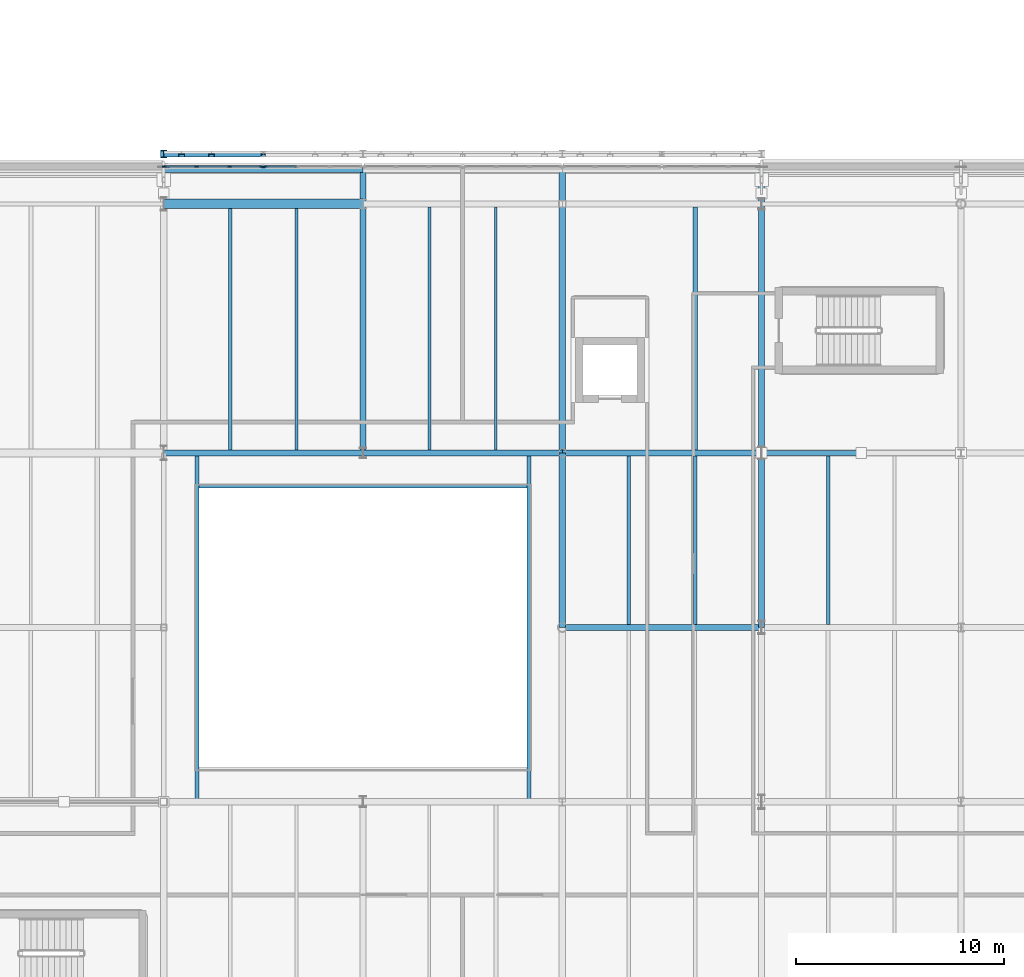
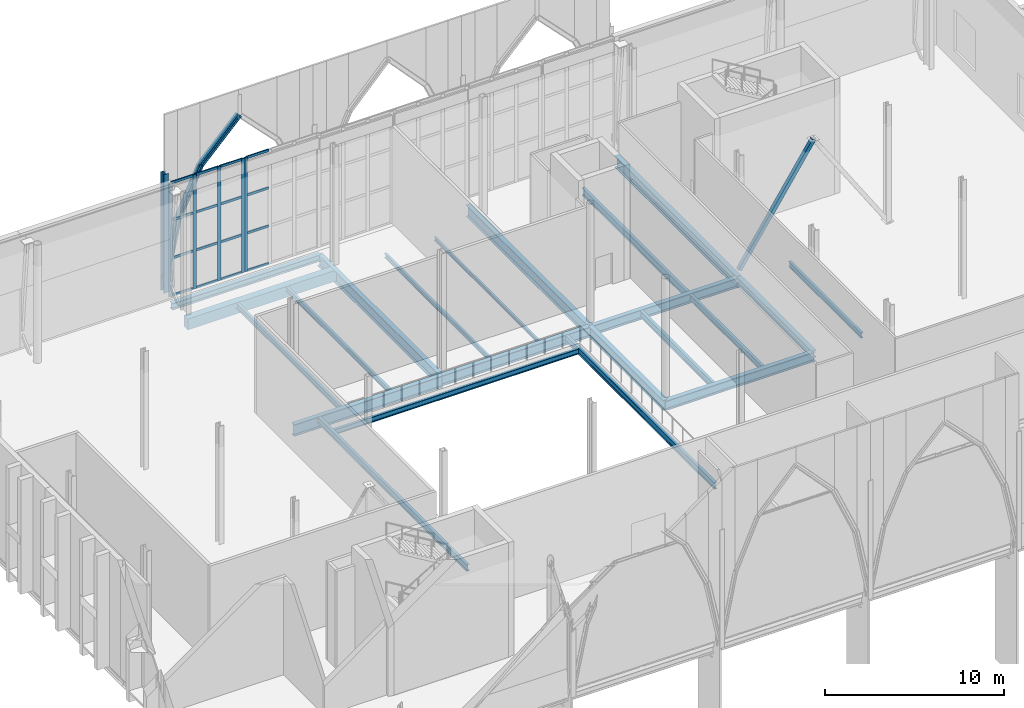
# One storey, part 28 of 79: 26 members, 22 beams, 2 elements without a shape of their own.
"""IFC4 building model written with IfcOpenShell, lengths in metres."""

from ifc_helpers import new_model, si_unit, direction, frame, origin, origin_2d, place, context, subcontext, project, spatial, rectangle, hollow_rectangle, i_section, extrude, material, layer, layer_set, material_profile, profile_set, type_object, element, aggregate, save


model = new_model("IFC4")

# Units and contexts
model_context = context("Model", 3, precision=1e-05, world=origin(), true_north=direction((0.0, 1.0)))
body_context = subcontext(model_context, "Body", "Model", "MODEL_VIEW")
ifc_project = project(units=[si_unit("LENGTHUNIT", "METRE"), si_unit("AREAUNIT", "SQUARE_METRE"), si_unit("VOLUMEUNIT", "CUBIC_METRE"), si_unit("PLANEANGLEUNIT", "RADIAN"), si_unit("MASSUNIT", "GRAM", prefix="KILO")], contexts=[model_context])

# Site, building, storey
site_placement = place(None, origin())
site = spatial("IfcSite", under=ifc_project, at=site_placement, CompositionType="ELEMENT")
building_placement = place(site_placement, origin())
building = spatial("IfcBuilding", under=site, at=building_placement, Name="Zereglee Splitstone Museum", CompositionType="ELEMENT")
storey_placement = place(building_placement, frame((0.0, 0.0, 9.0)))
storey = spatial("IfcBuildingStorey", under=building, at=storey_placement, Name="L02", CompositionType="ELEMENT", Elevation=9.0)

# Member
ifc_material_1 = material(Name="Steel S355J2H", Category="steel")
ifc_material_profile_1 = material_profile(ifc_material_1, hollow_rectangle(XDim=0.25, YDim=0.25, WallThickness=0.012451171875, at=origin_2d()), Name="SHS 250x250x12.5")
ifc_profile_set_1 = profile_set([ifc_material_profile_1], Name="Steel S355J2H")
member_type_1 = type_object("IfcMemberType", Name="TB-06", PredefinedType="BRACE", material=ifc_profile_set_1)
member_1_placement = place(storey_placement, frame((126.0, 38.39990234375, 0.1201171875), z_axis=(0.551530619986, 0.0, 0.834154647063), x_axis=(0.0, 1.0, 0.0)))
element("IfcMember", 1, at=member_1_placement, inside=storey, type_object=member_type_1, Name="Lateral Braced Frame Chevron L02-012A", PredefinedType="BRACE", context=body_context, shape_type="SweptSolid", body=[
    extrude(hollow_rectangle(XDim=0.25, YDim=0.25, WallThickness=0.012451171875, at=origin_2d()), origin(), (0.0, 0.0, 1.0), 8.703125),
])

# Curtain wall, member
ifc_material_2 = material(Name="Triple-glazed low-E argon glass and bronze-anodised aluminium", Category="aluminium")
ifc_layer_1 = layer(ifc_material_2, 0.219970703125)
ifc_layer_set_1 = layer_set([ifc_layer_1], Name="Triple-glazed low-E argon glass and bronze-anodised aluminium")
curtain_wall_type_1 = type_object("IfcCurtainWallType", Name="CW-0476-780", PredefinedType="USERDEFINED", material=ifc_layer_set_1)
curtain_wall_1_placement = place(storey_placement, origin())
curtain_wall_1 = element("IfcCurtainWall", 2, at=curtain_wall_1_placement, inside=storey, type_object=curtain_wall_type_1, Name="Glazed Curtain Wall CW-0476-780 (L02)", ObjectType="GLAZED CURTAIN WALL", PredefinedType="USERDEFINED")
ifc_material_3 = material(Name="Thermally broken bronze-anodised aluminium", Category="aluminium")
ifc_material_profile_2 = material_profile(ifc_material_3, rectangle(XDim=0.074951171875, YDim=0.219970703125, at=origin_2d()), Name="CW MULL 75x220")
ifc_profile_set_2 = profile_set([ifc_material_profile_2], Name="Thermally broken bronze-anodised aluminium")
member_type_2 = type_object("IfcMemberType", Name="CWM-02", PredefinedType="MULLION", material=ifc_profile_set_2)
member_2_placement = place(storey_placement, frame((102.077392578125, 52.199951171875, 0.0), z_axis=(0.0, 0.0, 1.0), x_axis=(0.0, -1.0, 0.0)))
member_2 = element("IfcMember", 3, at=member_2_placement, type_object=member_type_2, Name="CW-0476-780 mullion 4", PredefinedType="MULLION", context=body_context, shape_type="SweptSolid", body=[
    extrude(rectangle(XDim=0.074951171875, YDim=0.219970703125, at=origin_2d()), origin(), (0.0, 0.0, 1.0), 7.800048828125),
])

# Curtain wall, members
ifc_layer_2 = layer(ifc_material_2, 0.219970703125)
ifc_layer_set_2 = layer_set([ifc_layer_2], Name="Triple-glazed low-E argon glass and bronze-anodised aluminium")
curtain_wall_type_2 = type_object("IfcCurtainWallType", Name="CW-0476-778", PredefinedType="USERDEFINED", material=ifc_layer_set_2)
curtain_wall_2_placement = place(storey_placement, origin())
curtain_wall_2 = element("IfcCurtainWall", 4, at=curtain_wall_2_placement, inside=storey, type_object=curtain_wall_type_2, Name="Glazed Curtain Wall CW-0476-778 (L02)", ObjectType="GLAZED CURTAIN WALL", PredefinedType="USERDEFINED")
member_3_placement = place(storey_placement, frame((101.922607421875, 52.199951171875, 0.0), z_axis=(0.0, 0.0, 1.0), x_axis=(0.0, -1.0, 0.0)))
member_3 = element("IfcMember", 5, at=member_3_placement, type_object=member_type_2, Name="CW-0476-778 mullion 1", PredefinedType="MULLION", context=body_context, shape_type="SweptSolid", body=[
    extrude(rectangle(XDim=0.074951171875, YDim=0.219970703125, at=origin_2d()), origin(), (0.0, 0.0, 1.0), 7.780029296875),
])
member_4_placement = place(storey_placement, frame((100.373291015625, 52.199951171875, 0.0), z_axis=(0.0, 0.0, 1.0), x_axis=(0.0, -1.0, 0.0)))
member_4 = element("IfcMember", 6, at=member_4_placement, type_object=member_type_2, Name="CW-0476-778 mullion 2", PredefinedType="MULLION", context=body_context, shape_type="SweptSolid", body=[
    extrude(rectangle(XDim=0.074951171875, YDim=0.219970703125, at=origin_2d()), origin(), (0.0, 0.0, 1.0), 7.780029296875),
])
member_5_placement = place(storey_placement, frame((98.78662109375, 52.199951171875, 0.0), z_axis=(0.0, 0.0, 1.0), x_axis=(0.0, -1.0, 0.0)))
member_5 = element("IfcMember", 7, at=member_5_placement, type_object=member_type_2, Name="CW-0476-778 mullion 3", PredefinedType="MULLION", context=body_context, shape_type="SweptSolid", body=[
    extrude(rectangle(XDim=0.074951171875, YDim=0.219970703125, at=origin_2d()), origin(), (0.0, 0.0, 1.0), 7.780029296875),
])
member_6_placement = place(storey_placement, frame((97.237548828125, 52.199951171875, 0.0), z_axis=(0.0, 0.0, 1.0), x_axis=(0.0, -1.0, 0.0)))
member_6 = element("IfcMember", 8, at=member_6_placement, type_object=member_type_2, Name="CW-0476-778 mullion 4", PredefinedType="MULLION", context=body_context, shape_type="SweptSolid", body=[
    extrude(rectangle(XDim=0.074951171875, YDim=0.219970703125, at=origin_2d()), origin(), (0.0, 0.0, 1.0), 7.780029296875),
])

# Member
ifc_material_profile_3 = material_profile(ifc_material_3, rectangle(XDim=0.074951171875, YDim=0.1650390625, at=origin_2d()), Name="CW TRAN 75x165")
ifc_profile_set_3 = profile_set([ifc_material_profile_3], Name="Thermally broken bronze-anodised aluminium")
member_type_3 = type_object("IfcMemberType", Name="CWT-02", PredefinedType="USERDEFINED", material=ifc_profile_set_3)
member_7_placement = place(storey_placement, frame((103.589111328125, 52.199951171875, 0.03759765625), z_axis=(-1.0, 0.0, 0.0), x_axis=(0.0, -1.0, 0.0)))
member_7 = element("IfcMember", 9, at=member_7_placement, type_object=member_type_3, Name="CW-0476-780 transom 3.1", ObjectType="TRANSOM", PredefinedType="USERDEFINED", context=body_context, shape_type="SweptSolid", body=[
    extrude(rectangle(XDim=0.074951171875, YDim=0.1650390625, at=origin_2d()), origin(), (0.0, 0.0, 1.0), 1.47412109375),
])

member_8_placement = place(storey_placement, frame((103.589111328125, 52.199951171875, 2.60009765625), z_axis=(-1.0, 0.0, 0.0), x_axis=(0.0, -1.0, 0.0)))
member_8 = element("IfcMember", 10, at=member_8_placement, type_object=member_type_3, Name="CW-0476-780 transom 3.2", ObjectType="TRANSOM", PredefinedType="USERDEFINED", context=body_context, shape_type="SweptSolid", body=[
    extrude(rectangle(XDim=0.074951171875, YDim=0.1650390625, at=origin_2d()), origin(), (0.0, 0.0, 1.0), 1.47412109375),
])

member_9_placement = place(storey_placement, frame((103.589111328125, 52.199951171875, 5.199951171875), z_axis=(-1.0, 0.0, 0.0), x_axis=(0.0, -1.0, 0.0)))
member_9 = element("IfcMember", 11, at=member_9_placement, type_object=member_type_3, Name="CW-0476-780 transom 3.3", ObjectType="TRANSOM", PredefinedType="USERDEFINED", context=body_context, shape_type="SweptSolid", body=[
    extrude(rectangle(XDim=0.074951171875, YDim=0.1650390625, at=origin_2d()), origin(), (0.0, 0.0, 1.0), 1.47412109375),
])

member_10_placement = place(storey_placement, frame((103.589111328125, 52.199951171875, 7.762451171875), z_axis=(-1.0, 0.0, 0.0), x_axis=(0.0, -1.0, 0.0)))
member_10 = element("IfcMember", 12, at=member_10_placement, type_object=member_type_3, Name="CW-0476-780 transom 3.4", ObjectType="TRANSOM", PredefinedType="USERDEFINED", context=body_context, shape_type="SweptSolid", body=[
    extrude(rectangle(XDim=0.074951171875, YDim=0.1650390625, at=origin_2d()), origin(), (0.0, 0.0, 1.0), 1.47412109375),
])

aggregate(curtain_wall_1, [member_2, member_7, member_8, member_9, member_10])

member_11_placement = place(storey_placement, frame((101.885009765625, 52.199951171875, 0.03759765625), z_axis=(-1.0, 0.0, 0.0), x_axis=(0.0, -1.0, 0.0)))
member_11 = element("IfcMember", 13, at=member_11_placement, type_object=member_type_3, Name="CW-0476-778 transom 1.1", ObjectType="TRANSOM", PredefinedType="USERDEFINED", context=body_context, shape_type="SweptSolid", body=[
    extrude(rectangle(XDim=0.074951171875, YDim=0.1650390625, at=origin_2d()), origin(), (0.0, 0.0, 1.0), 1.47412109375),
])

member_12_placement = place(storey_placement, frame((101.885009765625, 52.199951171875, 2.59326171875), z_axis=(-1.0, 0.0, 0.0), x_axis=(0.0, -1.0, 0.0)))
member_12 = element("IfcMember", 14, at=member_12_placement, type_object=member_type_3, Name="CW-0476-778 transom 1.2", ObjectType="TRANSOM", PredefinedType="USERDEFINED", context=body_context, shape_type="SweptSolid", body=[
    extrude(rectangle(XDim=0.074951171875, YDim=0.1650390625, at=origin_2d()), origin(), (0.0, 0.0, 1.0), 1.47412109375),
])

member_13_placement = place(storey_placement, frame((101.885009765625, 52.199951171875, 5.186767578125), z_axis=(-1.0, 0.0, 0.0), x_axis=(0.0, -1.0, 0.0)))
member_13 = element("IfcMember", 15, at=member_13_placement, type_object=member_type_3, Name="CW-0476-778 transom 1.3", ObjectType="TRANSOM", PredefinedType="USERDEFINED", context=body_context, shape_type="SweptSolid", body=[
    extrude(rectangle(XDim=0.074951171875, YDim=0.1650390625, at=origin_2d()), origin(), (0.0, 0.0, 1.0), 1.47412109375),
])

member_14_placement = place(storey_placement, frame((101.885009765625, 52.199951171875, 7.742431640625), z_axis=(-1.0, 0.0, 0.0), x_axis=(0.0, -1.0, 0.0)))
member_14 = element("IfcMember", 16, at=member_14_placement, type_object=member_type_3, Name="CW-0476-778 transom 1.4", ObjectType="TRANSOM", PredefinedType="USERDEFINED", context=body_context, shape_type="SweptSolid", body=[
    extrude(rectangle(XDim=0.074951171875, YDim=0.1650390625, at=origin_2d()), origin(), (0.0, 0.0, 1.0), 1.47412109375),
])

member_15_placement = place(storey_placement, frame((100.3359375, 52.199951171875, 0.03759765625), z_axis=(-1.0, 0.0, 0.0), x_axis=(0.0, -1.0, 0.0)))
member_15 = element("IfcMember", 17, at=member_15_placement, type_object=member_type_3, Name="CW-0476-778 transom 2.1", ObjectType="TRANSOM", PredefinedType="USERDEFINED", context=body_context, shape_type="SweptSolid", body=[
    extrude(rectangle(XDim=0.074951171875, YDim=0.1650390625, at=origin_2d()), origin(), (0.0, 0.0, 1.0), 1.51171875),
])

member_16_placement = place(storey_placement, frame((100.3359375, 52.199951171875, 2.59326171875), z_axis=(-1.0, 0.0, 0.0), x_axis=(0.0, -1.0, 0.0)))
member_16 = element("IfcMember", 18, at=member_16_placement, type_object=member_type_3, Name="CW-0476-778 transom 2.2", ObjectType="TRANSOM", PredefinedType="USERDEFINED", context=body_context, shape_type="SweptSolid", body=[
    extrude(rectangle(XDim=0.074951171875, YDim=0.1650390625, at=origin_2d()), origin(), (0.0, 0.0, 1.0), 1.51171875),
])

member_17_placement = place(storey_placement, frame((100.3359375, 52.199951171875, 5.186767578125), z_axis=(-1.0, 0.0, 0.0), x_axis=(0.0, -1.0, 0.0)))
member_17 = element("IfcMember", 19, at=member_17_placement, type_object=member_type_3, Name="CW-0476-778 transom 2.3", ObjectType="TRANSOM", PredefinedType="USERDEFINED", context=body_context, shape_type="SweptSolid", body=[
    extrude(rectangle(XDim=0.074951171875, YDim=0.1650390625, at=origin_2d()), origin(), (0.0, 0.0, 1.0), 1.51171875),
])

member_18_placement = place(storey_placement, frame((100.3359375, 52.199951171875, 7.742431640625), z_axis=(-1.0, 0.0, 0.0), x_axis=(0.0, -1.0, 0.0)))
member_18 = element("IfcMember", 20, at=member_18_placement, type_object=member_type_3, Name="CW-0476-778 transom 2.4", ObjectType="TRANSOM", PredefinedType="USERDEFINED", context=body_context, shape_type="SweptSolid", body=[
    extrude(rectangle(XDim=0.074951171875, YDim=0.1650390625, at=origin_2d()), origin(), (0.0, 0.0, 1.0), 1.51171875),
])

member_19_placement = place(storey_placement, frame((98.749267578125, 52.199951171875, 0.03759765625), z_axis=(-1.0, 0.0, 0.0), x_axis=(0.0, -1.0, 0.0)))
member_19 = element("IfcMember", 21, at=member_19_placement, type_object=member_type_3, Name="CW-0476-778 transom 3.1", ObjectType="TRANSOM", PredefinedType="USERDEFINED", context=body_context, shape_type="SweptSolid", body=[
    extrude(rectangle(XDim=0.074951171875, YDim=0.1650390625, at=origin_2d()), origin(), (0.0, 0.0, 1.0), 1.474365234375),
])

member_20_placement = place(storey_placement, frame((98.749267578125, 52.199951171875, 2.59326171875), z_axis=(-1.0, 0.0, 0.0), x_axis=(0.0, -1.0, 0.0)))
member_20 = element("IfcMember", 22, at=member_20_placement, type_object=member_type_3, Name="CW-0476-778 transom 3.2", ObjectType="TRANSOM", PredefinedType="USERDEFINED", context=body_context, shape_type="SweptSolid", body=[
    extrude(rectangle(XDim=0.074951171875, YDim=0.1650390625, at=origin_2d()), origin(), (0.0, 0.0, 1.0), 1.474365234375),
])

member_21_placement = place(storey_placement, frame((98.749267578125, 52.199951171875, 5.186767578125), z_axis=(-1.0, 0.0, 0.0), x_axis=(0.0, -1.0, 0.0)))
member_21 = element("IfcMember", 23, at=member_21_placement, type_object=member_type_3, Name="CW-0476-778 transom 3.3", ObjectType="TRANSOM", PredefinedType="USERDEFINED", context=body_context, shape_type="SweptSolid", body=[
    extrude(rectangle(XDim=0.074951171875, YDim=0.1650390625, at=origin_2d()), origin(), (0.0, 0.0, 1.0), 1.474365234375),
])

member_22_placement = place(storey_placement, frame((98.749267578125, 52.199951171875, 7.742431640625), z_axis=(-1.0, 0.0, 0.0), x_axis=(0.0, -1.0, 0.0)))
member_22 = element("IfcMember", 24, at=member_22_placement, type_object=member_type_3, Name="CW-0476-778 transom 3.4", ObjectType="TRANSOM", PredefinedType="USERDEFINED", context=body_context, shape_type="SweptSolid", body=[
    extrude(rectangle(XDim=0.074951171875, YDim=0.1650390625, at=origin_2d()), origin(), (0.0, 0.0, 1.0), 1.474365234375),
])

aggregate(curtain_wall_2, [member_3, member_4, member_5, member_6, member_11, member_12, member_13, member_14, member_15, member_16, member_17, member_18, member_19, member_20, member_21, member_22])

# Members
ifc_material_4 = material(Name="Steel S355J2", Category="steel")
ifc_material_profile_4 = material_profile(ifc_material_4, i_section(OverallWidth=0.300048828125, OverallDepth=0.300048828125, WebThickness=0.010986328125, FlangeThickness=0.01904296875, FilletRadius=0.027099609375, at=origin_2d()), Name="HE 300 B")
ifc_profile_set_4 = profile_set([ifc_material_profile_4], Name="Steel S355J2")
member_type_4 = type_object("IfcMemberType", Name="TC-08", PredefinedType="CHORD", material=ifc_profile_set_4)
member_23_placement = place(storey_placement, frame((97.199951171875, 52.800048828125, 0.5), z_axis=(0.203451466719, 0.0, 0.97908503241), x_axis=(0.0, 1.0, 0.0)))
element("IfcMember", 25, at=member_23_placement, inside=storey, type_object=member_type_4, Name="Mughal Four-Centred Pointed Arch Rib PSQ-ATRN-1-1", PredefinedType="CHORD", context=body_context, shape_type="SweptSolid", body=[
    extrude(i_section(OverallWidth=0.300048828125, OverallDepth=0.300048828125, WebThickness=0.010986328125, FlangeThickness=0.01904296875, FilletRadius=0.027099609375, at=origin_2d()), origin(), (0.0, 0.0, 1.0), 4.246826171875),
])
member_24_placement = place(storey_placement, frame((98.06396484375, 52.800048828125, 4.657958984375), z_axis=(0.413792372507, 0.0, 0.910371282749), x_axis=(0.0, 1.0, 0.0)))
element("IfcMember", 26, at=member_24_placement, inside=storey, type_object=member_type_4, Name="Mughal Four-Centred Pointed Arch Rib PSQ-ATRN-1-2", PredefinedType="CHORD", context=body_context, shape_type="SweptSolid", body=[
    extrude(i_section(OverallWidth=0.300048828125, OverallDepth=0.300048828125, WebThickness=0.010986328125, FlangeThickness=0.01904296875, FilletRadius=0.027099609375, at=origin_2d()), origin(), (0.0, 0.0, 1.0), 3.47998046875),
])
member_25_placement = place(storey_placement, frame((99.50390625, 52.800048828125, 7.825927734375), z_axis=(0.696162850583, 0.0, 0.717883894141), x_axis=(0.0, 1.0, 0.0)))
element("IfcMember", 27, at=member_25_placement, inside=storey, type_object=member_type_4, Name="Mughal Four-Centred Pointed Arch Rib PSQ-ATRN-1-3", PredefinedType="CHORD", context=body_context, shape_type="SweptSolid", body=[
    extrude(i_section(OverallWidth=0.300048828125, OverallDepth=0.300048828125, WebThickness=0.010986328125, FlangeThickness=0.01904296875, FilletRadius=0.027099609375, at=origin_2d()), origin(), (0.0, 0.0, 1.0), 3.58544921875),
])
ifc_material_profile_5 = material_profile(ifc_material_4, i_section(OverallWidth=0.300048828125, OverallDepth=0.360107421875, WebThickness=0.012451171875, FlangeThickness=0.0224609375, FilletRadius=0.027099609375, at=origin_2d()), Name="HE 360 B")
ifc_profile_set_5 = profile_set([ifc_material_profile_5], Name="Steel S355J2")
member_type_5 = type_object("IfcMemberType", Name="TC-06", PredefinedType="CHORD", material=ifc_profile_set_5)
member_26_placement = place(storey_placement, frame((97.199951171875, 52.800048828125, 0.0), z_axis=(0.0, 0.0, 1.0), x_axis=(1.0, 0.0, 0.0)))
element("IfcMember", 28, at=member_26_placement, inside=storey, type_object=member_type_5, Name="Mughal Guldasta Hovering Portal Pier G09 L02", PredefinedType="CHORD", context=body_context, shape_type="SweptSolid", body=[
    extrude(i_section(OverallWidth=0.300048828125, OverallDepth=0.360107421875, WebThickness=0.012451171875, FlangeThickness=0.0224609375, FilletRadius=0.027099609375, at=origin_2d()), origin(), (0.0, 0.0, 1.0), 8.10009765625),
])

# Beams
ifc_material_profile_6 = material_profile(ifc_material_4, i_section(OverallWidth=0.300048828125, OverallDepth=0.5, WebThickness=0.014404296875, FlangeThickness=0.028076171875, FilletRadius=0.027099609375, at=origin_2d()), Name="HE 500 B")
ifc_profile_set_6 = profile_set([ifc_material_profile_6], Name="Steel S355J2")
beam_type_1 = type_object("IfcBeamType", Name="BG-12", PredefinedType="BEAM", material=ifc_profile_set_6)
beam_1_placement = place(storey_placement, frame((126.0, 30.0, -0.570068359375), z_axis=(0.0, 1.0, 0.0), x_axis=(-1.0, 0.0, 0.0)))
element("IfcBeam", 29, at=beam_1_placement, inside=storey, type_object=beam_type_1, Name="Primary Girder L02 15 (30.0-38.4)", PredefinedType="BEAM", context=body_context, shape_type="SweptSolid", body=[
    extrude(i_section(OverallWidth=0.300048828125, OverallDepth=0.5, WebThickness=0.014404296875, FlangeThickness=0.028076171875, FilletRadius=0.027099609375, at=origin_2d()), origin(), (0.0, 0.0, 1.0), 8.39990234375),
])
ifc_material_profile_7 = material_profile(ifc_material_4, i_section(OverallWidth=0.300048828125, OverallDepth=0.64990234375, WebThickness=0.01611328125, FlangeThickness=0.031005859375, FilletRadius=0.027099609375, at=origin_2d()), Name="HE 650 B")
ifc_profile_set_7 = profile_set([ifc_material_profile_7], Name="Steel S355J2")
beam_type_2 = type_object("IfcBeamType", Name="BG-09", PredefinedType="BEAM", material=ifc_profile_set_7)
for number, where, z_axis, x_axis, name in (
    (30, (116.39990234375, 30.0, -0.64501953125), (1.0, 0.0, 0.0), (0.0, 1.0, 0.0), "Primary Girder L02 D (116.4-126.0)"),
    (31, (116.39990234375, 38.39990234375, -0.64501953125), (1.0, 0.0, 0.0), (0.0, 1.0, 0.0), "Primary Girder L02 E (116.4-126.0)"),
):
    element("IfcBeam", number, at=place(storey_placement, frame(where, z_axis=z_axis, x_axis=x_axis)), inside=storey, type_object=beam_type_2, Name=name, PredefinedType="BEAM", context=body_context, shape_type="SweptSolid", body=[
        extrude(i_section(OverallWidth=0.300048828125, OverallDepth=0.64990234375, WebThickness=0.01611328125, FlangeThickness=0.031005859375, FilletRadius=0.027099609375, at=origin_2d()), origin(), (0.0, 0.0, 1.0), 9.60009765625),
    ])
ifc_material_profile_8 = material_profile(ifc_material_4, i_section(OverallWidth=0.300048828125, OverallDepth=0.699951171875, WebThickness=0.01708984375, FlangeThickness=0.031982421875, FilletRadius=0.027099609375, at=origin_2d()), Name="HE 700 B")
ifc_profile_set_8 = profile_set([ifc_material_profile_8], Name="Steel S355J2")
beam_type_3 = type_object("IfcBeamType", Name="BG-08", PredefinedType="BEAM", material=ifc_profile_set_8)
beam_2_placement = place(storey_placement, frame((106.800048828125, 38.39990234375, -0.669921875), z_axis=(1.0, 0.0, 0.0), x_axis=(0.0, 1.0, 0.0)))
element("IfcBeam", 32, at=beam_2_placement, inside=storey, type_object=beam_type_3, Name="Primary Girder L02 E (106.8-116.4)", PredefinedType="BEAM", context=body_context, shape_type="SweptSolid", body=[
    extrude(i_section(OverallWidth=0.300048828125, OverallDepth=0.699951171875, WebThickness=0.01708984375, FlangeThickness=0.031982421875, FilletRadius=0.027099609375, at=origin_2d()), origin(), (0.0, 0.0, 1.0), 9.599853515625),
])
beam_3_placement = place(storey_placement, frame((116.39990234375, 30.0, -0.669921875), z_axis=(0.0, 1.0, 0.0), x_axis=(-1.0, 0.0, 0.0)))
element("IfcBeam", 33, at=beam_3_placement, inside=storey, type_object=beam_type_3, Name="Primary Girder L02 14 (30.0-38.4)", PredefinedType="BEAM", context=body_context, shape_type="SweptSolid", body=[
    extrude(i_section(OverallWidth=0.300048828125, OverallDepth=0.699951171875, WebThickness=0.01708984375, FlangeThickness=0.031982421875, FilletRadius=0.027099609375, at=origin_2d()), origin(), (0.0, 0.0, 1.0), 8.39990234375),
])
ifc_material_profile_9 = material_profile(ifc_material_4, i_section(OverallWidth=0.300048828125, OverallDepth=0.800048828125, WebThickness=0.017578125, FlangeThickness=0.032958984375, FilletRadius=0.030029296875, at=origin_2d()), Name="HE 800 B")
ifc_profile_set_9 = profile_set([ifc_material_profile_9], Name="Steel S355J2")
beam_type_4 = type_object("IfcBeamType", Name="BG-07", PredefinedType="BEAM", material=ifc_profile_set_9)
beam_4_placement = place(storey_placement, frame((97.199951171875, 38.39990234375, -0.719970703125), z_axis=(1.0, 0.0, 0.0), x_axis=(0.0, 1.0, 0.0)))
element("IfcBeam", 34, at=beam_4_placement, inside=storey, type_object=beam_type_4, Name="Primary Girder L02 E (97.2-106.8)", PredefinedType="BEAM", context=body_context, shape_type="SweptSolid", body=[
    extrude(i_section(OverallWidth=0.300048828125, OverallDepth=0.800048828125, WebThickness=0.017578125, FlangeThickness=0.032958984375, FilletRadius=0.030029296875, at=origin_2d()), origin(), (0.0, 0.0, 1.0), 9.60009765625),
])
for number, where, z_axis, x_axis, name in (
    (35, (106.800048828125, 38.39990234375, -0.719970703125), (0.0, 1.0, 0.0), (-1.0, 0.0, 0.0), "Primary Girder L02 13 (38.4-52.0)"),
    (36, (116.39990234375, 38.39990234375, -0.719970703125), (0.0, 1.0, 0.0), (-1.0, 0.0, 0.0), "Primary Girder L02 14 (38.4-52.0)"),
    (37, (126.0, 38.39990234375, -0.719970703125), (0.0, 1.0, 0.0), (-1.0, 0.0, 0.0), "Primary Girder L02 15 (38.4-52.0)"),
):
    element("IfcBeam", number, at=place(storey_placement, frame(where, z_axis=z_axis, x_axis=x_axis)), inside=storey, type_object=beam_type_4, Name=name, PredefinedType="BEAM", context=body_context, shape_type="SweptSolid", body=[
        extrude(i_section(OverallWidth=0.300048828125, OverallDepth=0.800048828125, WebThickness=0.017578125, FlangeThickness=0.032958984375, FilletRadius=0.030029296875, at=origin_2d()), origin(), (0.0, 0.0, 1.0), 13.650146484375),
    ])
ifc_material_profile_10 = material_profile(ifc_material_4, i_section(OverallWidth=0.1201171875, OverallDepth=0.239990234375, WebThickness=0.006103515625, FlangeThickness=0.009765625, FilletRadius=0.014892578125, at=origin_2d()), Name="IPE 240")
ifc_profile_set_10 = profile_set([ifc_material_profile_10], Name="Steel S355J2")
beam_type_5 = type_object("IfcBeamType", Name="BJ-07", PredefinedType="JOIST", material=ifc_profile_set_10)
beam_5_placement = place(storey_placement, frame((113.199951171875, 38.550048828125, -0.43994140625), z_axis=(0.0, 1.0, 0.0), x_axis=(-1.0, 0.0, 0.0)))
element("IfcBeam", 38, at=beam_5_placement, inside=storey, type_object=beam_type_5, Name="Secondary Floor Joist L02-1126", PredefinedType="JOIST", context=body_context, shape_type="SweptSolid", body=[
    extrude(i_section(OverallWidth=0.1201171875, OverallDepth=0.239990234375, WebThickness=0.006103515625, FlangeThickness=0.009765625, FilletRadius=0.014892578125, at=origin_2d()), origin(), (0.0, 0.0, 1.0), 11.699951171875),
])
ifc_material_profile_11 = material_profile(ifc_material_4, i_section(OverallWidth=0.14990234375, OverallDepth=0.300048828125, WebThickness=0.007080078125, FlangeThickness=0.0107421875, FilletRadius=0.014892578125, at=origin_2d()), Name="IPE 300")
ifc_profile_set_11 = profile_set([ifc_material_profile_11], Name="Steel S355J2")
beam_type_6 = type_object("IfcBeamType", Name="BJ-06", PredefinedType="JOIST", material=ifc_profile_set_11)
beam_6_placement = place(storey_placement, frame((110.0, 38.550048828125, -0.469970703125), z_axis=(0.0, 1.0, 0.0), x_axis=(-1.0, 0.0, 0.0)))
element("IfcBeam", 39, at=beam_6_placement, inside=storey, type_object=beam_type_6, Name="Secondary Floor Joist L02-1125", PredefinedType="JOIST", context=body_context, shape_type="SweptSolid", body=[
    extrude(i_section(OverallWidth=0.14990234375, OverallDepth=0.300048828125, WebThickness=0.007080078125, FlangeThickness=0.0107421875, FilletRadius=0.014892578125, at=origin_2d()), origin(), (0.0, 0.0, 1.0), 11.699951171875),
])
ifc_material_profile_12 = material_profile(ifc_material_4, i_section(OverallWidth=0.159912109375, OverallDepth=0.330078125, WebThickness=0.007568359375, FlangeThickness=0.011474609375, FilletRadius=0.01806640625, at=origin_2d()), Name="IPE 330")
ifc_profile_set_12 = profile_set([ifc_material_profile_12], Name="Steel S355J2")
beam_type_7 = type_object("IfcBeamType", Name="BJ-05", PredefinedType="JOIST", material=ifc_profile_set_12)
beam_7_placement = place(storey_placement, frame((103.60009765625, 38.550048828125, -0.485107421875), z_axis=(0.0, 1.0, 0.0), x_axis=(-1.0, 0.0, 0.0)))
element("IfcBeam", 40, at=beam_7_placement, inside=storey, type_object=beam_type_7, Name="Secondary Floor Joist L02-1124", PredefinedType="JOIST", context=body_context, shape_type="SweptSolid", body=[
    extrude(i_section(OverallWidth=0.159912109375, OverallDepth=0.330078125, WebThickness=0.007568359375, FlangeThickness=0.011474609375, FilletRadius=0.01806640625, at=origin_2d()), origin(), (0.0, 0.0, 1.0), 11.625),
])
ifc_material_profile_13 = material_profile(ifc_material_4, i_section(OverallWidth=0.169921875, OverallDepth=0.360107421875, WebThickness=0.008056640625, FlangeThickness=0.0126953125, FilletRadius=0.01806640625, at=origin_2d()), Name="IPE 360")
ifc_profile_set_13 = profile_set([ifc_material_profile_13], Name="Steel S355J2")
beam_type_8 = type_object("IfcBeamType", Name="BJ-04", PredefinedType="JOIST", material=ifc_profile_set_13)
beam_8_placement = place(storey_placement, frame((129.199951171875, 30.14990234375, -0.5), z_axis=(0.0, 1.0, 0.0), x_axis=(-1.0, 0.0, 0.0)))
element("IfcBeam", 41, at=beam_8_placement, inside=storey, type_object=beam_type_8, Name="Secondary Floor Joist L02-1109", PredefinedType="JOIST", context=body_context, shape_type="SweptSolid", body=[
    extrude(i_section(OverallWidth=0.169921875, OverallDepth=0.360107421875, WebThickness=0.008056640625, FlangeThickness=0.0126953125, FilletRadius=0.01806640625, at=origin_2d()), origin(), (0.0, 0.0, 1.0), 8.10009765625),
])
beam_9_placement = place(storey_placement, frame((100.39990234375, 38.550048828125, -0.5), z_axis=(0.0, 1.0, 0.0), x_axis=(-1.0, 0.0, 0.0)))
element("IfcBeam", 42, at=beam_9_placement, inside=storey, type_object=beam_type_8, Name="Secondary Floor Joist L02-1123", PredefinedType="JOIST", context=body_context, shape_type="SweptSolid", body=[
    extrude(i_section(OverallWidth=0.169921875, OverallDepth=0.360107421875, WebThickness=0.008056640625, FlangeThickness=0.0126953125, FilletRadius=0.01806640625, at=origin_2d()), origin(), (0.0, 0.0, 1.0), 11.625),
])
beam_10_placement = place(storey_placement, frame((98.89990234375, 36.800048828125, -0.5), z_axis=(1.0, 0.0, 0.0), x_axis=(0.0, 1.0, 0.0)))
element("IfcBeam", 43, at=beam_10_placement, inside=storey, type_object=beam_type_8, Name="Atrium Rim Beam L02 N", PredefinedType="JOIST", context=body_context, shape_type="SweptSolid", body=[
    extrude(i_section(OverallWidth=0.169921875, OverallDepth=0.360107421875, WebThickness=0.008056640625, FlangeThickness=0.0126953125, FilletRadius=0.01806640625, at=origin_2d()), origin(), (0.0, 0.0, 1.0), 15.800048828125),
])
ifc_material_profile_14 = material_profile(ifc_material_4, i_section(OverallWidth=0.179931640625, OverallDepth=0.39990234375, WebThickness=0.008544921875, FlangeThickness=0.013427734375, FilletRadius=0.02099609375, at=origin_2d()), Name="IPE 400")
ifc_profile_set_14 = profile_set([ifc_material_profile_14], Name="Steel S355J2")
beam_type_9 = type_object("IfcBeamType", Name="BJ-03", PredefinedType="JOIST", material=ifc_profile_set_14)
beam_11_placement = place(storey_placement, frame((122.800048828125, 30.14990234375, -0.52001953125), z_axis=(0.0, 1.0, 0.0), x_axis=(-1.0, 0.0, 0.0)))
element("IfcBeam", 44, at=beam_11_placement, inside=storey, type_object=beam_type_9, Name="Secondary Floor Joist L02-1108", PredefinedType="JOIST", context=body_context, shape_type="SweptSolid", body=[
    extrude(i_section(OverallWidth=0.179931640625, OverallDepth=0.39990234375, WebThickness=0.008544921875, FlangeThickness=0.013427734375, FilletRadius=0.02099609375, at=origin_2d()), origin(), (0.0, 0.0, 1.0), 8.10009765625),
])
ifc_material_profile_15 = material_profile(ifc_material_4, i_section(OverallWidth=0.18994140625, OverallDepth=0.449951171875, WebThickness=0.009521484375, FlangeThickness=0.0146484375, FilletRadius=0.02099609375, at=origin_2d()), Name="IPE 450")
ifc_profile_set_15 = profile_set([ifc_material_profile_15], Name="Steel S355J2")
beam_type_10 = type_object("IfcBeamType", Name="BJ-02", PredefinedType="JOIST", material=ifc_profile_set_15)
beam_12_placement = place(storey_placement, frame((119.60009765625, 30.14990234375, -0.544921875), z_axis=(0.0, 1.0, 0.0), x_axis=(-1.0, 0.0, 0.0)))
element("IfcBeam", 45, at=beam_12_placement, inside=storey, type_object=beam_type_10, Name="Secondary Floor Joist L02-1107", PredefinedType="JOIST", context=body_context, shape_type="SweptSolid", body=[
    extrude(i_section(OverallWidth=0.18994140625, OverallDepth=0.449951171875, WebThickness=0.009521484375, FlangeThickness=0.0146484375, FilletRadius=0.02099609375, at=origin_2d()), origin(), (0.0, 0.0, 1.0), 8.10009765625),
])
for number, where, z_axis, x_axis, name in (
    (46, (98.800048828125, 21.60009765625, -0.544921875), (0.0, 1.0, 0.0), (-1.0, 0.0, 0.0), "Atrium Edge Beam L02 W"),
    (47, (114.800048828125, 21.60009765625, -0.544921875), (0.0, 1.0, 0.0), (-1.0, 0.0, 0.0), "Atrium Edge Beam L02 E"),
):
    element("IfcBeam", number, at=place(storey_placement, frame(where, z_axis=z_axis, x_axis=x_axis)), inside=storey, type_object=beam_type_10, Name=name, PredefinedType="JOIST", context=body_context, shape_type="SweptSolid", body=[
        extrude(i_section(OverallWidth=0.18994140625, OverallDepth=0.449951171875, WebThickness=0.009521484375, FlangeThickness=0.0146484375, FilletRadius=0.02099609375, at=origin_2d()), origin(), (0.0, 0.0, 1.0), 16.7998046875),
    ])
ifc_material_profile_16 = material_profile(ifc_material_4, i_section(OverallWidth=0.199951171875, OverallDepth=0.5, WebThickness=0.01025390625, FlangeThickness=0.01611328125, FilletRadius=0.02099609375, at=origin_2d()), Name="IPE 500")
ifc_profile_set_16 = profile_set([ifc_material_profile_16], Name="Steel S355J2")
beam_type_11 = type_object("IfcBeamType", Name="BJ-01", PredefinedType="JOIST", material=ifc_profile_set_16)
beam_13_placement = place(storey_placement, frame((122.800048828125, 38.550048828125, -0.570068359375), z_axis=(0.0, 1.0, 0.0), x_axis=(-1.0, 0.0, 0.0)))
element("IfcBeam", 48, at=beam_13_placement, inside=storey, type_object=beam_type_11, Name="Secondary Floor Joist L02-1127", PredefinedType="JOIST", context=body_context, shape_type="SweptSolid", body=[
    extrude(i_section(OverallWidth=0.199951171875, OverallDepth=0.5, WebThickness=0.01025390625, FlangeThickness=0.01611328125, FilletRadius=0.02099609375, at=origin_2d()), origin(), (0.0, 0.0, 1.0), 11.7099609375),
])
ifc_material_profile_17 = material_profile(ifc_material_4, i_section(OverallWidth=0.300048828125, OverallDepth=0.449951171875, WebThickness=0.013916015625, FlangeThickness=0.02587890625, FilletRadius=0.027099609375, at=origin_2d()), Name="HE 450 B")
ifc_profile_set_17 = profile_set([ifc_material_profile_17], Name="Steel S355J2")
beam_type_12 = type_object("IfcBeamType", Name="SP-02", PredefinedType="SPANDREL", material=ifc_profile_set_17)
beam_14_placement = place(storey_placement, frame((97.199951171875, 52.050048828125, -0.544921875), z_axis=(1.0, 0.0, 0.0), x_axis=(0.0, 1.0, 0.0)))
element("IfcBeam", 49, at=beam_14_placement, inside=storey, type_object=beam_type_12, Name="Hovering Soffit Spandrel L02 (97.2-106.8)", PredefinedType="SPANDREL", context=body_context, shape_type="SweptSolid", body=[
    extrude(i_section(OverallWidth=0.300048828125, OverallDepth=0.449951171875, WebThickness=0.013916015625, FlangeThickness=0.02587890625, FilletRadius=0.027099609375, at=origin_2d()), origin(), (0.0, 0.0, 1.0), 9.60009765625),
])
ifc_material_5 = material(Name="Concrete C40/50", Category="concrete")
ifc_material_profile_18 = material_profile(ifc_material_5, rectangle(XDim=0.449951171875, YDim=0.75, at=origin_2d()), Name="RC 450x750")
ifc_profile_set_18 = profile_set([ifc_material_profile_18], Name="Concrete C40/50")
beam_type_13 = type_object("IfcBeamType", Name="SP-01", PredefinedType="SPANDREL", material=ifc_profile_set_18)
beam_15_placement = place(storey_placement, frame((97.199951171875, 50.39990234375, -0.695068359375), z_axis=(1.0, 0.0, 0.0), x_axis=(0.0, 1.0, 0.0)))
element("IfcBeam", 50, at=beam_15_placement, inside=storey, type_object=beam_type_13, Name="Primary Girder L02 F (97.2-106.8)", PredefinedType="SPANDREL", context=body_context, shape_type="SweptSolid", body=[
    extrude(rectangle(XDim=0.449951171875, YDim=0.75, at=origin_2d()), origin(), (0.0, 0.0, 1.0), 9.60009765625),
])

save(model, "model.ifc")
